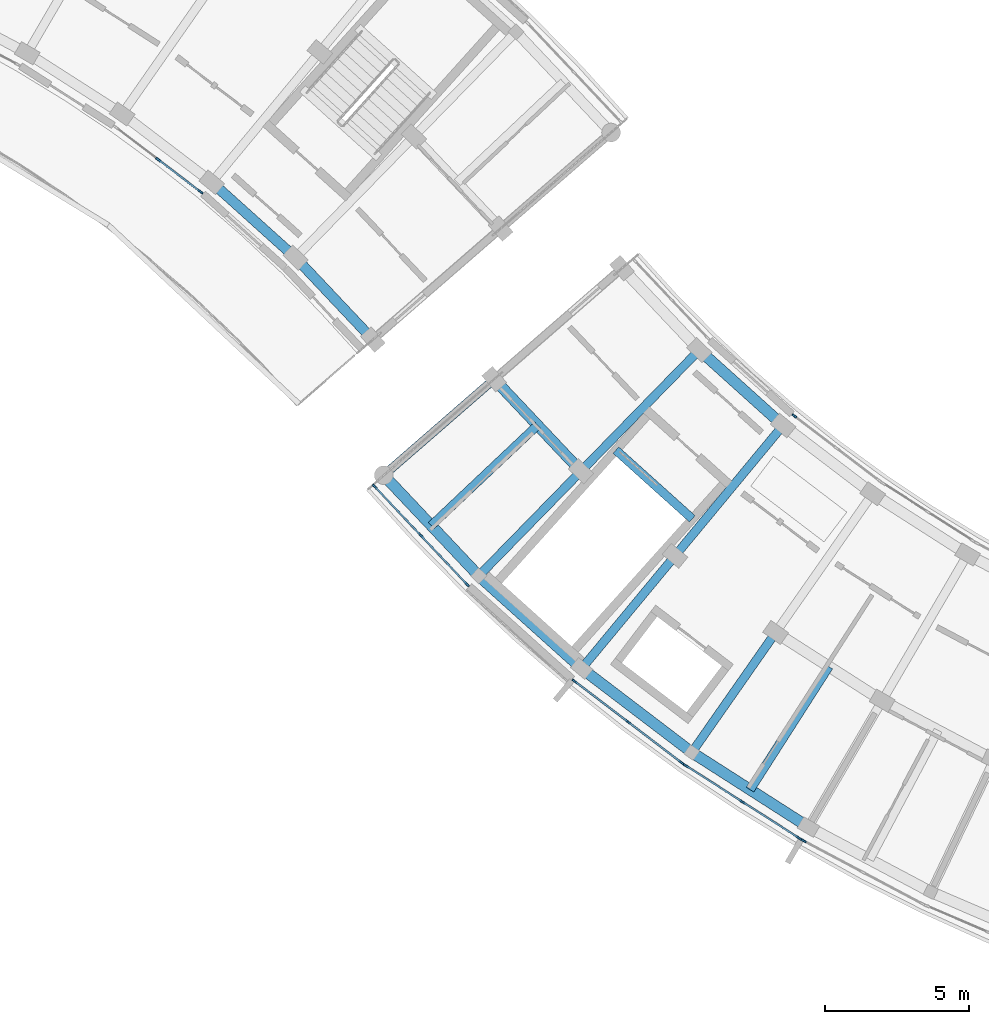
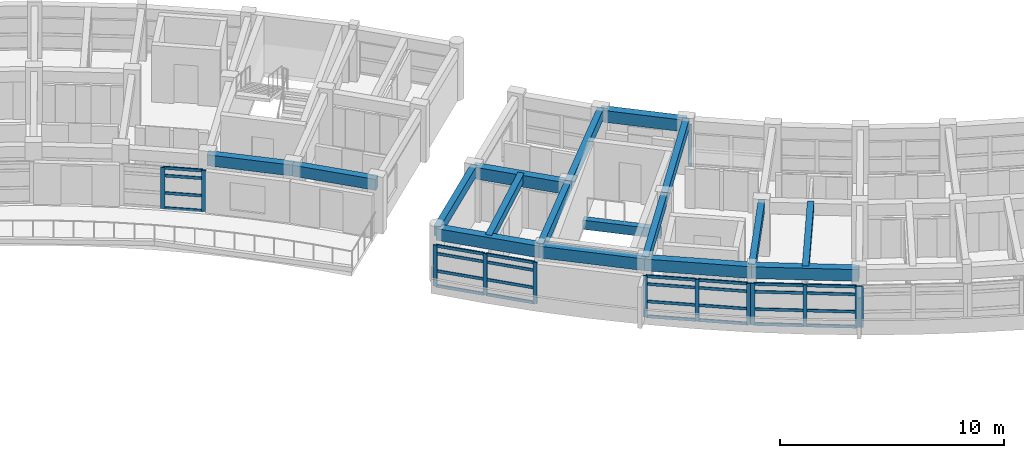
# One storey, part 8 of 38: 41 members, 17 beams, 6 elements without a shape of their own.
"""IFC4 building model written with IfcOpenShell, lengths in metres."""

from ifc_helpers import new_model, si_unit, direction, frame, origin, origin_2d, place, context, subcontext, project, spatial, rectangle, extrude, material, material_profile, profile_set, type_object, element, aggregate, save


model = new_model("IFC4")

# Units and contexts
model_context = context("Model", 3, precision=1e-05, world=origin(), true_north=direction((0.0, 1.0)))
body_context = subcontext(model_context, "Body", "Model", "MODEL_VIEW")
ifc_project = project(units=[si_unit("LENGTHUNIT", "METRE"), si_unit("AREAUNIT", "SQUARE_METRE"), si_unit("VOLUMEUNIT", "CUBIC_METRE"), si_unit("PLANEANGLEUNIT", "RADIAN"), si_unit("MASSUNIT", "GRAM", prefix="KILO")], contexts=[model_context])

# Site, building, storey
site_placement = place(None, origin())
site = spatial("IfcSite", under=ifc_project, at=site_placement, CompositionType="ELEMENT")
building_placement = place(site_placement, origin())
building = spatial("IfcBuilding", under=site, at=building_placement, Name="Zimvara Arc Housing Community", CompositionType="ELEMENT")
storey_placement = place(building_placement, frame((0.0, 0.0, 29.800048828125)))
storey = spatial("IfcBuildingStorey", under=building, at=storey_placement, Name="L09", CompositionType="ELEMENT", Elevation=29.800048828125)

# Beams
ifc_material_1 = material(Name="Concrete C40/50", Category="concrete")
ifc_material_profile_1 = material_profile(ifc_material_1, rectangle(XDim=0.300048828125, YDim=0.449951171875, at=origin_2d()), Name="RC 300x450")
ifc_profile_set_1 = profile_set([ifc_material_profile_1], Name="Concrete C40/50")
beam_type_1 = type_object("IfcBeamType", Name="BM-RC-300x450", PredefinedType="JOIST", material=ifc_profile_set_1)
beam_1_placement = place(storey_placement, frame((86.88427734375, 72.966552734375, 2.695068359375), z_axis=(-0.727299876429, -0.686319815936, 0.0), x_axis=(0.686319815936, -0.727299876429, 0.0)))
element("IfcBeam", 1, at=beam_1_placement, inside=storey, type_object=beam_type_1, Name="bm:blkC:L09:joist:b0", PredefinedType="JOIST", context=body_context, shape_type="SweptSolid", body=[
    extrude(rectangle(XDim=0.300048828125, YDim=0.449951171875, at=origin_2d()), origin(), (0.0, 0.0, 1.0), 5.075927734375),
])
beam_2_placement = place(storey_placement, frame((97.00244140625, 64.583984375, 2.695068359375), z_axis=(-0.539052331508, -0.842272274206, 0.0), x_axis=(0.842272274206, -0.539052331508, 0.0)))
element("IfcBeam", 2, at=beam_2_placement, inside=storey, type_object=beam_type_1, Name="bm:blkC:L09:joist:b3", PredefinedType="JOIST", context=body_context, shape_type="SweptSolid", body=[
    extrude(rectangle(XDim=0.300048828125, YDim=0.449951171875, at=origin_2d()), origin(), (0.0, 0.0, 1.0), 5.07568359375),
])
ifc_material_2 = material(Name="Concrete C40/50", Category="concrete")
ifc_material_profile_2 = material_profile(ifc_material_2, rectangle(XDim=0.300048828125, YDim=0.5, at=origin_2d()), Name="RC 300x500")
ifc_profile_set_2 = profile_set([ifc_material_profile_2], Name="Concrete C40/50")
beam_type_2 = type_object("IfcBeamType", Name="BM-RC-300x500", PredefinedType="BEAM", material=ifc_profile_set_2)
beam_3_placement = place(storey_placement, frame((89.604248046875, 72.100830078125, -0.25), z_axis=(0.743396155404, -0.668851370732, 0.0), x_axis=(0.668851370732, 0.743396155404, 0.0)))
element("IfcBeam", 3, at=beam_3_placement, inside=storey, type_object=beam_type_2, Name="bm:stair_trim:ST-C1:L09:near", PredefinedType="BEAM", context=body_context, shape_type="SweptSolid", body=[
    extrude(rectangle(XDim=0.300048828125, YDim=0.5, at=origin_2d()), origin(), (0.0, 0.0, 1.0), 3.56982421875),
])
ifc_material_3 = material(Name="Concrete C40/50", Category="concrete")
ifc_material_profile_3 = material_profile(ifc_material_3, rectangle(XDim=0.300048828125, YDim=0.550048828125, at=origin_2d()), Name="RC 300x550")
ifc_profile_set_3 = profile_set([ifc_material_profile_3], Name="Concrete C40/50")
beam_type_3 = type_object("IfcBeamType", Name="BM-RC-300x550", PredefinedType="BEAM", material=ifc_profile_set_3)
beam_4_placement = place(storey_placement, frame((85.376708984375, 74.56396484375, 2.64501953125), z_axis=(-0.754716217499, -0.656051393599, 0.0), x_axis=(0.656051393599, -0.754716217499, 0.0)))
element("IfcBeam", 4, at=beam_4_placement, inside=storey, type_object=beam_type_3, Name="bm:blkC:L09:rad:b0:r23", PredefinedType="BEAM", context=body_context, shape_type="SweptSolid", body=[
    extrude(rectangle(XDim=0.300048828125, YDim=0.550048828125, at=origin_2d()), origin(), (0.0, 0.0, 1.0), 5.080078125),
])
beam_5_placement = place(storey_placement, frame((92.5, 75.57568359375, 2.64501953125), z_axis=(-0.698669844288, -0.715444231707, 0.0), x_axis=(0.715444231707, -0.698669844288, 0.0)))
element("IfcBeam", 5, at=beam_5_placement, inside=storey, type_object=beam_type_3, Name="bm:blkC:L09:rad:b1:r12", PredefinedType="BEAM", context=body_context, shape_type="SweptSolid", body=[
    extrude(rectangle(XDim=0.300048828125, YDim=0.550048828125, at=origin_2d()), origin(), (0.0, 0.0, 1.0), 5.8798828125),
])
beam_6_placement = place(storey_placement, frame((88.391845703125, 71.368896484375, 2.64501953125), z_axis=(-0.698670885014, -0.71544321538, 0.0), x_axis=(0.71544321538, -0.698670885014, 0.0)))
element("IfcBeam", 6, at=beam_6_placement, inside=storey, type_object=beam_type_3, Name="bm:blkC:L09:rad:b1:r23", PredefinedType="BEAM", context=body_context, shape_type="SweptSolid", body=[
    extrude(rectangle(XDim=0.300048828125, YDim=0.550048828125, at=origin_2d()), origin(), (0.0, 0.0, 1.0), 5.080078125),
])
beam_7_placement = place(storey_placement, frame((95.408935546875, 72.958251953125, 2.64501953125), z_axis=(-0.637976362518, -0.770055946583, 0.0), x_axis=(0.770055946583, -0.637976362518, 0.0)))
element("IfcBeam", 7, at=beam_7_placement, inside=storey, type_object=beam_type_3, Name="bm:blkC:L09:rad:b2:r12", PredefinedType="BEAM", context=body_context, shape_type="SweptSolid", body=[
    extrude(rectangle(XDim=0.300048828125, YDim=0.550048828125, at=origin_2d()), origin(), (0.0, 0.0, 1.0), 5.8798828125),
])
beam_8_placement = place(storey_placement, frame((91.65771484375, 68.430419921875, 2.64501953125), z_axis=(-0.637960059333, -0.770069453164, 0.0), x_axis=(0.770069453164, -0.637960059333, 0.0)))
element("IfcBeam", 8, at=beam_8_placement, inside=storey, type_object=beam_type_3, Name="bm:blkC:L09:rad:b2:r23", PredefinedType="BEAM", context=body_context, shape_type="SweptSolid", body=[
    extrude(rectangle(XDim=0.300048828125, YDim=0.550048828125, at=origin_2d()), origin(), (0.0, 0.0, 1.0), 5.080322265625),
])
beam_9_placement = place(storey_placement, frame((95.15234375, 65.76806640625, 2.64501953125), z_axis=(-0.573007469479, -0.819550144848, 0.0), x_axis=(0.819550144848, -0.573007469479, 0.0)))
element("IfcBeam", 9, at=beam_9_placement, inside=storey, type_object=beam_type_3, Name="bm:blkC:L09:rad:b3:r23", PredefinedType="BEAM", context=body_context, shape_type="SweptSolid", body=[
    extrude(rectangle(XDim=0.300048828125, YDim=0.550048828125, at=origin_2d()), origin(), (0.0, 0.0, 1.0), 5.080078125),
])
ifc_material_4 = material(Name="Concrete C40/50", Category="concrete")
ifc_material_profile_4 = material_profile(ifc_material_4, rectangle(XDim=0.35009765625, YDim=0.60009765625, at=origin_2d()), Name="RC 350x600")
ifc_profile_set_4 = profile_set([ifc_material_profile_4], Name="Concrete C40/50")
beam_type_4 = type_object("IfcBeamType", Name="BM-RC-350x600", PredefinedType="BEAM", material=ifc_profile_set_4)
beam_10_placement = place(storey_placement, frame((75.571044921875, 81.401611328125, 2.56005859375), z_axis=(0.743402719516, -0.668844074965, 0.0), x_axis=(0.668844074965, 0.743402719516, 0.0)))
element("IfcBeam", 10, at=beam_10_placement, inside=storey, type_object=beam_type_4, Name="bm:blkB:L09:chord:r1:b8", PredefinedType="BEAM", context=body_context, shape_type="SweptSolid", body=[
    extrude(rectangle(XDim=0.35009765625, YDim=0.60009765625, at=origin_2d()), origin(), (0.0, 0.0, 1.0), 3.9130859375),
])
beam_11_placement = place(storey_placement, frame((78.47998046875, 78.784423828125, 2.56005859375), z_axis=(0.686315710793, -0.727303750243, 0.0), x_axis=(0.727303750243, 0.686315710793, 0.0)))
element("IfcBeam", 11, at=beam_11_placement, inside=storey, type_object=beam_type_4, Name="bm:blkB:L09:chord:r1:b9", PredefinedType="BEAM", context=body_context, shape_type="SweptSolid", body=[
    extrude(rectangle(XDim=0.35009765625, YDim=0.60009765625, at=origin_2d()), origin(), (0.0, 0.0, 1.0), 3.913330078125),
])
ifc_material_5 = material(Name="Concrete C40/50", Category="concrete")
ifc_material_profile_5 = material_profile(ifc_material_5, rectangle(XDim=0.3798828125, YDim=0.639892578125, at=origin_2d()), Name="RC 380x640")
ifc_profile_set_5 = profile_set([ifc_material_profile_5], Name="Concrete C40/50")
beam_type_5 = type_object("IfcBeamType", Name="BM-RC-380x640", PredefinedType="BEAM", material=ifc_profile_set_5)
beam_12_placement = place(storey_placement, frame((92.5, 75.57568359375, 2.599853515625), z_axis=(0.743371697344, -0.668878553691, 0.0), x_axis=(0.668878553691, 0.743371697344, 0.0)))
element("IfcBeam", 12, at=beam_12_placement, inside=storey, type_object=beam_type_5, Name="bm:blkC:L09:chord:r1:b1", PredefinedType="BEAM", context=body_context, shape_type="SweptSolid", body=[
    extrude(rectangle(XDim=0.3798828125, YDim=0.639892578125, at=origin_2d()), origin(), (0.0, 0.0, 1.0), 3.9130859375),
])
beam_13_placement = place(storey_placement, frame((85.376708984375, 74.56396484375, 2.599853515625), z_axis=(0.686331377274, -0.727288966347, 0.0), x_axis=(0.727288966347, 0.686331377274, 0.0)))
element("IfcBeam", 13, at=beam_13_placement, inside=storey, type_object=beam_type_5, Name="bm:blkC:L09:chord:r2:b0", PredefinedType="BEAM", context=body_context, shape_type="SweptSolid", body=[
    extrude(rectangle(XDim=0.3798828125, YDim=0.639892578125, at=origin_2d()), origin(), (0.0, 0.0, 1.0), 4.39306640625),
])
beam_14_placement = place(storey_placement, frame((81.542724609375, 71.231201171875, 2.599853515625), z_axis=(0.686320791145, -0.727298956168, 0.0), x_axis=(0.727298956168, 0.686320791145, 0.0)))
element("IfcBeam", 14, at=beam_14_placement, inside=storey, type_object=beam_type_5, Name="bm:blkC:L09:chord:r3:b0", PredefinedType="BEAM", context=body_context, shape_type="SweptSolid", body=[
    extrude(rectangle(XDim=0.3798828125, YDim=0.639892578125, at=origin_2d()), origin(), (0.0, 0.0, 1.0), 4.807861328125),
])
for number, where, z_axis, x_axis, name in (
    (15, (84.842529296875, 67.734375, 2.599853515625), (0.743369885629, -0.668880567172, 0.0), (0.668880567172, 0.743369885629, 0.0), "bm:blkC:L09:chord:r3:b1"),
    (16, (88.416748046875, 64.518310546875, 2.599853515625), (0.795480673672, -0.605978958228, 0.0), (0.605978958228, 0.795480673672, 0.0), "bm:blkC:L09:chord:r3:b2"),
    (17, (92.241455078125, 61.604736328125, 2.599853515625), (0.842278777856, -0.539042169383, 0.0), (0.539042169383, 0.842278777856, 0.0), "bm:blkC:L09:chord:r3:b3"),
):
    element("IfcBeam", number, at=place(storey_placement, frame(where, z_axis=z_axis, x_axis=x_axis)), inside=storey, type_object=beam_type_5, Name=name, PredefinedType="BEAM", context=body_context, shape_type="SweptSolid", body=[
        extrude(rectangle(XDim=0.3798828125, YDim=0.639892578125, at=origin_2d()), origin(), (0.0, 0.0, 1.0), 4.80810546875),
    ])

# Curtain wall, member
ifc_material_6 = material(Name="Anodised Aluminium AW-6063", Category="aluminium")
curtain_wall_type_1 = type_object("IfcCurtainWallType", Name="CW-SYS-08", PredefinedType="USERDEFINED", material=ifc_material_6)
curtain_wall_1_placement = place(storey_placement, origin())
curtain_wall_1 = element("IfcCurtainWall", 18, at=curtain_wall_1_placement, inside=storey, type_object=curtain_wall_type_1, Name="cw:blkC:L09:in:b2", ObjectType="CURTAIN WALL", PredefinedType="USERDEFINED")
ifc_material_7 = material(Name="Anodised Aluminium AW-6063", Category="aluminium")
ifc_material_profile_6 = material_profile(ifc_material_7, rectangle(XDim=0.06494140625, YDim=0.179931640625, at=origin_2d()), Name="ALU 65x180")
ifc_profile_set_6 = profile_set([ifc_material_profile_6], Name="Anodised Aluminium AW-6063")
member_type_1 = type_object("IfcMemberType", Name="CWM-65x150", PredefinedType="MULLION", material=ifc_profile_set_6)
member_1_placement = place(storey_placement, frame((95.801513671875, 73.287353515625, 0.0), z_axis=(0.0, 0.0, 1.0), x_axis=(0.605987809503, 0.795473930895, 0.0)))
member_1 = element("IfcMember", 19, at=member_1_placement, type_object=member_type_1, Name="CW08 mullion 1", PredefinedType="MULLION", context=body_context, shape_type="SweptSolid", body=[
    extrude(rectangle(XDim=0.06494140625, YDim=0.179931640625, at=origin_2d()), origin(), (0.0, 0.0, 1.0), 2.25),
])
aggregate(curtain_wall_1, [member_1])

# Curtain wall, members
ifc_material_8 = material(Name="Anodised Aluminium AW-6063", Category="aluminium")
curtain_wall_type_2 = type_object("IfcCurtainWallType", Name="CW-SYS-05", PredefinedType="USERDEFINED", material=ifc_material_8)
curtain_wall_2_placement = place(storey_placement, origin())
curtain_wall_2 = element("IfcCurtainWall", 20, at=curtain_wall_2_placement, inside=storey, type_object=curtain_wall_type_2, Name="cw:blkB:L09:in:b7", ObjectType="CURTAIN WALL", PredefinedType="USERDEFINED")
ifc_material_9 = material(Name="Anodised Aluminium AW-6063", Category="aluminium")
ifc_material_profile_7 = material_profile(ifc_material_9, rectangle(XDim=0.06494140625, YDim=0.195068359375, at=origin_2d()), Name="ALU 65x195")
ifc_profile_set_7 = profile_set([ifc_material_profile_7], Name="Anodised Aluminium AW-6063")
member_type_2 = type_object("IfcMemberType", Name="CWM-65x180", PredefinedType="MULLION", material=ifc_profile_set_7)
member_2_placement = place(storey_placement, frame((73.7119140625, 82.18994140625, 0.0), z_axis=(0.0, 0.0, 1.0), x_axis=(0.605987809503, 0.795473930895, 0.0)))
member_2 = element("IfcMember", 21, at=member_2_placement, type_object=member_type_2, Name="CW05 mullion 2", PredefinedType="MULLION", context=body_context, shape_type="SweptSolid", body=[
    extrude(rectangle(XDim=0.06494140625, YDim=0.195068359375, at=origin_2d()), origin(), (0.0, 0.0, 1.0), 2.25),
])
member_3_placement = place(storey_placement, frame((75.178466796875, 81.07275390625, 0.0), z_axis=(0.0, 0.0, 1.0), x_axis=(0.605987809503, 0.795473930895, 0.0)))
member_3 = element("IfcMember", 22, at=member_3_placement, type_object=member_type_2, Name="CW05 mullion 3", PredefinedType="MULLION", context=body_context, shape_type="SweptSolid", body=[
    extrude(rectangle(XDim=0.06494140625, YDim=0.195068359375, at=origin_2d()), origin(), (0.0, 0.0, 1.0), 2.25),
])

curtain_wall_3_placement = place(storey_placement, origin())
curtain_wall_3 = element("IfcCurtainWall", 23, at=curtain_wall_3_placement, inside=storey, type_object=curtain_wall_type_2, Name="cw:blkC:L09:out:b0", ObjectType="CURTAIN WALL", PredefinedType="USERDEFINED")
member_4_placement = place(storey_placement, frame((81.228759765625, 70.8359375, 0.0), z_axis=(0.0, 0.0, 1.0), x_axis=(0.727293647725, 0.686326416495, 0.0)))
member_4 = element("IfcMember", 24, at=member_4_placement, type_object=member_type_2, Name="CW05 mullion 1", PredefinedType="MULLION", context=body_context, shape_type="SweptSolid", body=[
    extrude(rectangle(XDim=0.06494140625, YDim=0.195068359375, at=origin_2d()), origin(), (0.0, 0.0, 1.0), 2.25),
])
member_5_placement = place(storey_placement, frame((82.829345703125, 69.139892578125, 0.0), z_axis=(0.0, 0.0, 1.0), x_axis=(0.727293647725, 0.686326416495, 0.0)))
member_5 = element("IfcMember", 25, at=member_5_placement, type_object=member_type_2, Name="CW05 mullion 2", PredefinedType="MULLION", context=body_context, shape_type="SweptSolid", body=[
    extrude(rectangle(XDim=0.06494140625, YDim=0.195068359375, at=origin_2d()), origin(), (0.0, 0.0, 1.0), 2.25),
])
member_6_placement = place(storey_placement, frame((84.4296875, 67.44384765625, 0.0), z_axis=(0.0, 0.0, 1.0), x_axis=(0.727293647725, 0.686326416495, 0.0)))
member_6 = element("IfcMember", 26, at=member_6_placement, type_object=member_type_2, Name="CW05 mullion 3", PredefinedType="MULLION", context=body_context, shape_type="SweptSolid", body=[
    extrude(rectangle(XDim=0.06494140625, YDim=0.195068359375, at=origin_2d()), origin(), (0.0, 0.0, 1.0), 2.25),
])

ifc_material_10 = material(Name="Anodised Aluminium AW-6063", Category="aluminium")
curtain_wall_type_3 = type_object("IfcCurtainWallType", Name="CW-SYS-07", PredefinedType="USERDEFINED", material=ifc_material_10)
curtain_wall_4_placement = place(storey_placement, origin())
curtain_wall_4 = element("IfcCurtainWall", 27, at=curtain_wall_4_placement, inside=storey, type_object=curtain_wall_type_3, Name="cw:blkC:L09:out:b2", ObjectType="CURTAIN WALL", PredefinedType="USERDEFINED")
member_7_placement = place(storey_placement, frame((88.17138671875, 64.077392578125, 0.0), z_axis=(0.0, 0.0, 1.0), x_axis=(0.60598771987, 0.795473999177, 0.0)))
member_7 = element("IfcMember", 28, at=member_7_placement, type_object=member_type_2, Name="CW07 mullion 1", PredefinedType="MULLION", context=body_context, shape_type="SweptSolid", body=[
    extrude(rectangle(XDim=0.06494140625, YDim=0.195068359375, at=origin_2d()), origin(), (0.0, 0.0, 1.0), 2.25),
])
member_8_placement = place(storey_placement, frame((90.0263671875, 62.6640625, 0.0), z_axis=(0.0, 0.0, 1.0), x_axis=(0.60598771987, 0.795473999177, 0.0)))
member_8 = element("IfcMember", 29, at=member_8_placement, type_object=member_type_2, Name="CW07 mullion 2", PredefinedType="MULLION", context=body_context, shape_type="SweptSolid", body=[
    extrude(rectangle(XDim=0.06494140625, YDim=0.195068359375, at=origin_2d()), origin(), (0.0, 0.0, 1.0), 2.25),
])
member_9_placement = place(storey_placement, frame((91.88134765625, 61.2509765625, 0.0), z_axis=(0.0, 0.0, 1.0), x_axis=(0.60598771987, 0.795473999177, 0.0)))
member_9 = element("IfcMember", 30, at=member_9_placement, type_object=member_type_2, Name="CW07 mullion 3", PredefinedType="MULLION", context=body_context, shape_type="SweptSolid", body=[
    extrude(rectangle(XDim=0.06494140625, YDim=0.195068359375, at=origin_2d()), origin(), (0.0, 0.0, 1.0), 2.25),
])

ifc_material_11 = material(Name="Anodised Aluminium AW-6063", Category="aluminium")
curtain_wall_type_4 = type_object("IfcCurtainWallType", Name="CW-SYS-01", PredefinedType="USERDEFINED", material=ifc_material_11)
curtain_wall_5_placement = place(storey_placement, origin())
curtain_wall_5 = element("IfcCurtainWall", 31, at=curtain_wall_5_placement, inside=storey, type_object=curtain_wall_type_4, Name="cw:blkC:L09:out:b3", ObjectType="CURTAIN WALL", PredefinedType="USERDEFINED")
member_10_placement = place(storey_placement, frame((92.032958984375, 61.14501953125, 0.0), z_axis=(0.0, 0.0, 1.0), x_axis=(0.539064617721, 0.842264410931, 0.0)))
member_10 = element("IfcMember", 32, at=member_10_placement, type_object=member_type_2, Name="CW01 mullion 1", PredefinedType="MULLION", context=body_context, shape_type="SweptSolid", body=[
    extrude(rectangle(XDim=0.06494140625, YDim=0.195068359375, at=origin_2d()), origin(), (0.0, 0.0, 1.0), 2.25),
])
member_11_placement = place(storey_placement, frame((93.9970703125, 59.887939453125, 0.0), z_axis=(0.0, 0.0, 1.0), x_axis=(0.539064617721, 0.842264410931, 0.0)))
member_11 = element("IfcMember", 33, at=member_11_placement, type_object=member_type_2, Name="CW01 mullion 2", PredefinedType="MULLION", context=body_context, shape_type="SweptSolid", body=[
    extrude(rectangle(XDim=0.06494140625, YDim=0.195068359375, at=origin_2d()), origin(), (0.0, 0.0, 1.0), 2.25),
])
member_12_placement = place(storey_placement, frame((95.961181640625, 58.630859375, 0.0), z_axis=(0.0, 0.0, 1.0), x_axis=(0.539064617721, 0.842264410931, 0.0)))
member_12 = element("IfcMember", 34, at=member_12_placement, type_object=member_type_2, Name="CW01 mullion 3", PredefinedType="MULLION", context=body_context, shape_type="SweptSolid", body=[
    extrude(rectangle(XDim=0.06494140625, YDim=0.195068359375, at=origin_2d()), origin(), (0.0, 0.0, 1.0), 2.25),
])

# Curtain wall, member
ifc_material_12 = material(Name="Anodised Aluminium AW-6063", Category="aluminium")
curtain_wall_type_5 = type_object("IfcCurtainWallType", Name="CW-SYS-03", PredefinedType="USERDEFINED", material=ifc_material_12)
curtain_wall_6_placement = place(storey_placement, origin())
curtain_wall_6 = element("IfcCurtainWall", 35, at=curtain_wall_6_placement, inside=storey, type_object=curtain_wall_type_5, Name="cw:blkC:L09:out:b4", ObjectType="CURTAIN WALL", PredefinedType="USERDEFINED")
member_13_placement = place(storey_placement, frame((96.120849609375, 58.537841796875, 0.0), z_axis=(0.0, 0.0, 1.0), x_axis=(0.468546917761, 0.883438614651, 0.0)))
member_13 = element("IfcMember", 36, at=member_13_placement, type_object=member_type_2, Name="CW03 mullion 1", PredefinedType="MULLION", context=body_context, shape_type="SweptSolid", body=[
    extrude(rectangle(XDim=0.06494140625, YDim=0.195068359375, at=origin_2d()), origin(), (0.0, 0.0, 1.0), 2.25),
])
aggregate(curtain_wall_6, [member_13])

# Member
ifc_material_13 = material(Name="Anodised Aluminium AW-6063", Category="aluminium")
ifc_material_profile_8 = material_profile(ifc_material_13, rectangle(XDim=0.06494140625, YDim=0.155029296875, at=origin_2d()), Name="ALU 65x155")
ifc_profile_set_8 = profile_set([ifc_material_profile_8], Name="Anodised Aluminium AW-6063")
member_type_3 = type_object("IfcMemberType", Name="CWT-65x140", PredefinedType="USERDEFINED", material=ifc_profile_set_8)
member_14_placement = place(storey_placement, frame((73.73779296875, 82.170166015625, 0.032470703125), z_axis=(0.795497878591, -0.605956372322, 0.0), x_axis=(0.605956372322, 0.795497878591, 0.0)))
member_14 = element("IfcMember", 37, at=member_14_placement, type_object=member_type_3, Name="CW05 transom 2.1", ObjectType="TRANSOM", PredefinedType="USERDEFINED", context=body_context, shape_type="SweptSolid", body=[
    extrude(rectangle(XDim=0.06494140625, YDim=0.155029296875, at=origin_2d()), origin(), (0.0, 0.0, 1.0), 1.77880859375),
])

member_15_placement = place(storey_placement, frame((73.73779296875, 82.170166015625, 0.849853515625), z_axis=(0.795497878591, -0.605956372322, 0.0), x_axis=(0.605956372322, 0.795497878591, 0.0)))
member_15 = element("IfcMember", 38, at=member_15_placement, type_object=member_type_3, Name="CW05 transom 2.2", ObjectType="TRANSOM", PredefinedType="USERDEFINED", context=body_context, shape_type="SweptSolid", body=[
    extrude(rectangle(XDim=0.06494140625, YDim=0.155029296875, at=origin_2d()), origin(), (0.0, 0.0, 1.0), 1.77880859375),
])

member_16_placement = place(storey_placement, frame((73.73779296875, 82.170166015625, 1.800048828125), z_axis=(0.795497878591, -0.605956372322, 0.0), x_axis=(0.605956372322, 0.795497878591, 0.0)))
member_16 = element("IfcMember", 39, at=member_16_placement, type_object=member_type_3, Name="CW05 transom 2.3", ObjectType="TRANSOM", PredefinedType="USERDEFINED", context=body_context, shape_type="SweptSolid", body=[
    extrude(rectangle(XDim=0.06494140625, YDim=0.155029296875, at=origin_2d()), origin(), (0.0, 0.0, 1.0), 1.77880859375),
])

member_17_placement = place(storey_placement, frame((73.73779296875, 82.170166015625, 2.217529296875), z_axis=(0.795497878591, -0.605956372322, 0.0), x_axis=(0.605956372322, 0.795497878591, 0.0)))
member_17 = element("IfcMember", 40, at=member_17_placement, type_object=member_type_3, Name="CW05 transom 2.4", ObjectType="TRANSOM", PredefinedType="USERDEFINED", context=body_context, shape_type="SweptSolid", body=[
    extrude(rectangle(XDim=0.06494140625, YDim=0.155029296875, at=origin_2d()), origin(), (0.0, 0.0, 1.0), 1.77880859375),
])

aggregate(curtain_wall_2, [member_2, member_3, member_14, member_15, member_16, member_17])

member_18_placement = place(storey_placement, frame((81.251220703125, 70.812255859375, 0.032470703125), z_axis=(0.68629138792, -0.727326701604, 0.0), x_axis=(0.727326701604, 0.68629138792, 0.0)))
member_18 = element("IfcMember", 41, at=member_18_placement, type_object=member_type_3, Name="CW05 transom 1.1", ObjectType="TRANSOM", PredefinedType="USERDEFINED", context=body_context, shape_type="SweptSolid", body=[
    extrude(rectangle(XDim=0.06494140625, YDim=0.155029296875, at=origin_2d()), origin(), (0.0, 0.0, 1.0), 2.266845703125),
])

member_19_placement = place(storey_placement, frame((81.251220703125, 70.812255859375, 0.849853515625), z_axis=(0.68629138792, -0.727326701604, 0.0), x_axis=(0.727326701604, 0.68629138792, 0.0)))
member_19 = element("IfcMember", 42, at=member_19_placement, type_object=member_type_3, Name="CW05 transom 1.2", ObjectType="TRANSOM", PredefinedType="USERDEFINED", context=body_context, shape_type="SweptSolid", body=[
    extrude(rectangle(XDim=0.06494140625, YDim=0.155029296875, at=origin_2d()), origin(), (0.0, 0.0, 1.0), 2.266845703125),
])

member_20_placement = place(storey_placement, frame((81.251220703125, 70.812255859375, 1.800048828125), z_axis=(0.68629138792, -0.727326701604, 0.0), x_axis=(0.727326701604, 0.68629138792, 0.0)))
member_20 = element("IfcMember", 43, at=member_20_placement, type_object=member_type_3, Name="CW05 transom 1.3", ObjectType="TRANSOM", PredefinedType="USERDEFINED", context=body_context, shape_type="SweptSolid", body=[
    extrude(rectangle(XDim=0.06494140625, YDim=0.155029296875, at=origin_2d()), origin(), (0.0, 0.0, 1.0), 2.266845703125),
])

member_21_placement = place(storey_placement, frame((81.251220703125, 70.812255859375, 2.217529296875), z_axis=(0.68629138792, -0.727326701604, 0.0), x_axis=(0.727326701604, 0.68629138792, 0.0)))
member_21 = element("IfcMember", 44, at=member_21_placement, type_object=member_type_3, Name="CW05 transom 1.4", ObjectType="TRANSOM", PredefinedType="USERDEFINED", context=body_context, shape_type="SweptSolid", body=[
    extrude(rectangle(XDim=0.06494140625, YDim=0.155029296875, at=origin_2d()), origin(), (0.0, 0.0, 1.0), 2.266845703125),
])

member_22_placement = place(storey_placement, frame((82.8515625, 69.1162109375, 0.032470703125), z_axis=(0.686348357589, -0.727272941911, 0.0), x_axis=(0.727272941911, 0.686348357589, 0.0)))
member_22 = element("IfcMember", 45, at=member_22_placement, type_object=member_type_3, Name="CW05 transom 2.1", ObjectType="TRANSOM", PredefinedType="USERDEFINED", context=body_context, shape_type="SweptSolid", body=[
    extrude(rectangle(XDim=0.06494140625, YDim=0.155029296875, at=origin_2d()), origin(), (0.0, 0.0, 1.0), 2.266845703125),
])

member_23_placement = place(storey_placement, frame((82.8515625, 69.1162109375, 0.849853515625), z_axis=(0.686348357589, -0.727272941911, 0.0), x_axis=(0.727272941911, 0.686348357589, 0.0)))
member_23 = element("IfcMember", 46, at=member_23_placement, type_object=member_type_3, Name="CW05 transom 2.2", ObjectType="TRANSOM", PredefinedType="USERDEFINED", context=body_context, shape_type="SweptSolid", body=[
    extrude(rectangle(XDim=0.06494140625, YDim=0.155029296875, at=origin_2d()), origin(), (0.0, 0.0, 1.0), 2.266845703125),
])

member_24_placement = place(storey_placement, frame((82.8515625, 69.1162109375, 1.800048828125), z_axis=(0.686348357589, -0.727272941911, 0.0), x_axis=(0.727272941911, 0.686348357589, 0.0)))
member_24 = element("IfcMember", 47, at=member_24_placement, type_object=member_type_3, Name="CW05 transom 2.3", ObjectType="TRANSOM", PredefinedType="USERDEFINED", context=body_context, shape_type="SweptSolid", body=[
    extrude(rectangle(XDim=0.06494140625, YDim=0.155029296875, at=origin_2d()), origin(), (0.0, 0.0, 1.0), 2.266845703125),
])

member_25_placement = place(storey_placement, frame((82.8515625, 69.1162109375, 2.217529296875), z_axis=(0.686348357589, -0.727272941911, 0.0), x_axis=(0.727272941911, 0.686348357589, 0.0)))
member_25 = element("IfcMember", 48, at=member_25_placement, type_object=member_type_3, Name="CW05 transom 2.4", ObjectType="TRANSOM", PredefinedType="USERDEFINED", context=body_context, shape_type="SweptSolid", body=[
    extrude(rectangle(XDim=0.06494140625, YDim=0.155029296875, at=origin_2d()), origin(), (0.0, 0.0, 1.0), 2.266845703125),
])

aggregate(curtain_wall_3, [member_4, member_5, member_6, member_18, member_19, member_20, member_21, member_22, member_23, member_24, member_25])

member_26_placement = place(storey_placement, frame((88.197265625, 64.0576171875, 0.032470703125), z_axis=(0.795453969776, -0.606014011363, 0.0), x_axis=(0.606014011363, 0.795453969776, 0.0)))
member_26 = element("IfcMember", 49, at=member_26_placement, type_object=member_type_3, Name="CW07 transom 1.1", ObjectType="TRANSOM", PredefinedType="USERDEFINED", context=body_context, shape_type="SweptSolid", body=[
    extrude(rectangle(XDim=0.06494140625, YDim=0.155029296875, at=origin_2d()), origin(), (0.0, 0.0, 1.0), 2.266845703125),
])

member_27_placement = place(storey_placement, frame((88.197265625, 64.0576171875, 0.849853515625), z_axis=(0.795453969776, -0.606014011363, 0.0), x_axis=(0.606014011363, 0.795453969776, 0.0)))
member_27 = element("IfcMember", 50, at=member_27_placement, type_object=member_type_3, Name="CW07 transom 1.2", ObjectType="TRANSOM", PredefinedType="USERDEFINED", context=body_context, shape_type="SweptSolid", body=[
    extrude(rectangle(XDim=0.06494140625, YDim=0.155029296875, at=origin_2d()), origin(), (0.0, 0.0, 1.0), 2.266845703125),
])

member_28_placement = place(storey_placement, frame((88.197265625, 64.0576171875, 1.800048828125), z_axis=(0.795453969776, -0.606014011363, 0.0), x_axis=(0.606014011363, 0.795453969776, 0.0)))
member_28 = element("IfcMember", 51, at=member_28_placement, type_object=member_type_3, Name="CW07 transom 1.3", ObjectType="TRANSOM", PredefinedType="USERDEFINED", context=body_context, shape_type="SweptSolid", body=[
    extrude(rectangle(XDim=0.06494140625, YDim=0.155029296875, at=origin_2d()), origin(), (0.0, 0.0, 1.0), 2.266845703125),
])

member_29_placement = place(storey_placement, frame((88.197265625, 64.0576171875, 2.217529296875), z_axis=(0.795453969776, -0.606014011363, 0.0), x_axis=(0.606014011363, 0.795453969776, 0.0)))
member_29 = element("IfcMember", 52, at=member_29_placement, type_object=member_type_3, Name="CW07 transom 1.4", ObjectType="TRANSOM", PredefinedType="USERDEFINED", context=body_context, shape_type="SweptSolid", body=[
    extrude(rectangle(XDim=0.06494140625, YDim=0.155029296875, at=origin_2d()), origin(), (0.0, 0.0, 1.0), 2.266845703125),
])

member_30_placement = place(storey_placement, frame((90.05224609375, 62.64453125, 0.032470703125), z_axis=(0.795453969776, -0.606014011363, 0.0), x_axis=(0.606014011363, 0.795453969776, 0.0)))
member_30 = element("IfcMember", 53, at=member_30_placement, type_object=member_type_3, Name="CW07 transom 2.1", ObjectType="TRANSOM", PredefinedType="USERDEFINED", context=body_context, shape_type="SweptSolid", body=[
    extrude(rectangle(XDim=0.06494140625, YDim=0.155029296875, at=origin_2d()), origin(), (0.0, 0.0, 1.0), 2.266845703125),
])

member_31_placement = place(storey_placement, frame((90.05224609375, 62.64453125, 0.849853515625), z_axis=(0.795453969776, -0.606014011363, 0.0), x_axis=(0.606014011363, 0.795453969776, 0.0)))
member_31 = element("IfcMember", 54, at=member_31_placement, type_object=member_type_3, Name="CW07 transom 2.2", ObjectType="TRANSOM", PredefinedType="USERDEFINED", context=body_context, shape_type="SweptSolid", body=[
    extrude(rectangle(XDim=0.06494140625, YDim=0.155029296875, at=origin_2d()), origin(), (0.0, 0.0, 1.0), 2.266845703125),
])

member_32_placement = place(storey_placement, frame((90.05224609375, 62.64453125, 1.800048828125), z_axis=(0.795453969776, -0.606014011363, 0.0), x_axis=(0.606014011363, 0.795453969776, 0.0)))
member_32 = element("IfcMember", 55, at=member_32_placement, type_object=member_type_3, Name="CW07 transom 2.3", ObjectType="TRANSOM", PredefinedType="USERDEFINED", context=body_context, shape_type="SweptSolid", body=[
    extrude(rectangle(XDim=0.06494140625, YDim=0.155029296875, at=origin_2d()), origin(), (0.0, 0.0, 1.0), 2.266845703125),
])

member_33_placement = place(storey_placement, frame((90.05224609375, 62.64453125, 2.217529296875), z_axis=(0.795453969776, -0.606014011363, 0.0), x_axis=(0.606014011363, 0.795453969776, 0.0)))
member_33 = element("IfcMember", 56, at=member_33_placement, type_object=member_type_3, Name="CW07 transom 2.4", ObjectType="TRANSOM", PredefinedType="USERDEFINED", context=body_context, shape_type="SweptSolid", body=[
    extrude(rectangle(XDim=0.06494140625, YDim=0.155029296875, at=origin_2d()), origin(), (0.0, 0.0, 1.0), 2.266845703125),
])

aggregate(curtain_wall_4, [member_7, member_8, member_9, member_26, member_27, member_28, member_29, member_30, member_31, member_32, member_33])

member_34_placement = place(storey_placement, frame((92.060302734375, 61.127685546875, 0.032470703125), z_axis=(0.842244018672, -0.539096478388, 0.0), x_axis=(0.539096478388, 0.842244018672, 0.0)))
member_34 = element("IfcMember", 57, at=member_34_placement, type_object=member_type_3, Name="CW01 transom 1.1", ObjectType="TRANSOM", PredefinedType="USERDEFINED", context=body_context, shape_type="SweptSolid", body=[
    extrude(rectangle(XDim=0.06494140625, YDim=0.155029296875, at=origin_2d()), origin(), (0.0, 0.0, 1.0), 2.26708984375),
])

member_35_placement = place(storey_placement, frame((92.060302734375, 61.127685546875, 0.849853515625), z_axis=(0.842244018672, -0.539096478388, 0.0), x_axis=(0.539096478388, 0.842244018672, 0.0)))
member_35 = element("IfcMember", 58, at=member_35_placement, type_object=member_type_3, Name="CW01 transom 1.2", ObjectType="TRANSOM", PredefinedType="USERDEFINED", context=body_context, shape_type="SweptSolid", body=[
    extrude(rectangle(XDim=0.06494140625, YDim=0.155029296875, at=origin_2d()), origin(), (0.0, 0.0, 1.0), 2.26708984375),
])

member_36_placement = place(storey_placement, frame((92.060302734375, 61.127685546875, 1.800048828125), z_axis=(0.842244018672, -0.539096478388, 0.0), x_axis=(0.539096478388, 0.842244018672, 0.0)))
member_36 = element("IfcMember", 59, at=member_36_placement, type_object=member_type_3, Name="CW01 transom 1.3", ObjectType="TRANSOM", PredefinedType="USERDEFINED", context=body_context, shape_type="SweptSolid", body=[
    extrude(rectangle(XDim=0.06494140625, YDim=0.155029296875, at=origin_2d()), origin(), (0.0, 0.0, 1.0), 2.26708984375),
])

member_37_placement = place(storey_placement, frame((92.060302734375, 61.127685546875, 2.217529296875), z_axis=(0.842244018672, -0.539096478388, 0.0), x_axis=(0.539096478388, 0.842244018672, 0.0)))
member_37 = element("IfcMember", 60, at=member_37_placement, type_object=member_type_3, Name="CW01 transom 1.4", ObjectType="TRANSOM", PredefinedType="USERDEFINED", context=body_context, shape_type="SweptSolid", body=[
    extrude(rectangle(XDim=0.06494140625, YDim=0.155029296875, at=origin_2d()), origin(), (0.0, 0.0, 1.0), 2.26708984375),
])

member_38_placement = place(storey_placement, frame((94.0244140625, 59.87060546875, 0.032470703125), z_axis=(0.842244018672, -0.539096478388, 0.0), x_axis=(0.539096478388, 0.842244018672, 0.0)))
member_38 = element("IfcMember", 61, at=member_38_placement, type_object=member_type_3, Name="CW01 transom 2.1", ObjectType="TRANSOM", PredefinedType="USERDEFINED", context=body_context, shape_type="SweptSolid", body=[
    extrude(rectangle(XDim=0.06494140625, YDim=0.155029296875, at=origin_2d()), origin(), (0.0, 0.0, 1.0), 2.26708984375),
])

member_39_placement = place(storey_placement, frame((94.0244140625, 59.87060546875, 0.849853515625), z_axis=(0.842244018672, -0.539096478388, 0.0), x_axis=(0.539096478388, 0.842244018672, 0.0)))
member_39 = element("IfcMember", 62, at=member_39_placement, type_object=member_type_3, Name="CW01 transom 2.2", ObjectType="TRANSOM", PredefinedType="USERDEFINED", context=body_context, shape_type="SweptSolid", body=[
    extrude(rectangle(XDim=0.06494140625, YDim=0.155029296875, at=origin_2d()), origin(), (0.0, 0.0, 1.0), 2.26708984375),
])

member_40_placement = place(storey_placement, frame((94.0244140625, 59.87060546875, 1.800048828125), z_axis=(0.842244018672, -0.539096478388, 0.0), x_axis=(0.539096478388, 0.842244018672, 0.0)))
member_40 = element("IfcMember", 63, at=member_40_placement, type_object=member_type_3, Name="CW01 transom 2.3", ObjectType="TRANSOM", PredefinedType="USERDEFINED", context=body_context, shape_type="SweptSolid", body=[
    extrude(rectangle(XDim=0.06494140625, YDim=0.155029296875, at=origin_2d()), origin(), (0.0, 0.0, 1.0), 2.26708984375),
])

member_41_placement = place(storey_placement, frame((94.0244140625, 59.87060546875, 2.217529296875), z_axis=(0.842244018672, -0.539096478388, 0.0), x_axis=(0.539096478388, 0.842244018672, 0.0)))
member_41 = element("IfcMember", 64, at=member_41_placement, type_object=member_type_3, Name="CW01 transom 2.4", ObjectType="TRANSOM", PredefinedType="USERDEFINED", context=body_context, shape_type="SweptSolid", body=[
    extrude(rectangle(XDim=0.06494140625, YDim=0.155029296875, at=origin_2d()), origin(), (0.0, 0.0, 1.0), 2.26708984375),
])

aggregate(curtain_wall_5, [member_10, member_11, member_12, member_34, member_35, member_36, member_37, member_38, member_39, member_40, member_41])

save(model, "model.ifc")
